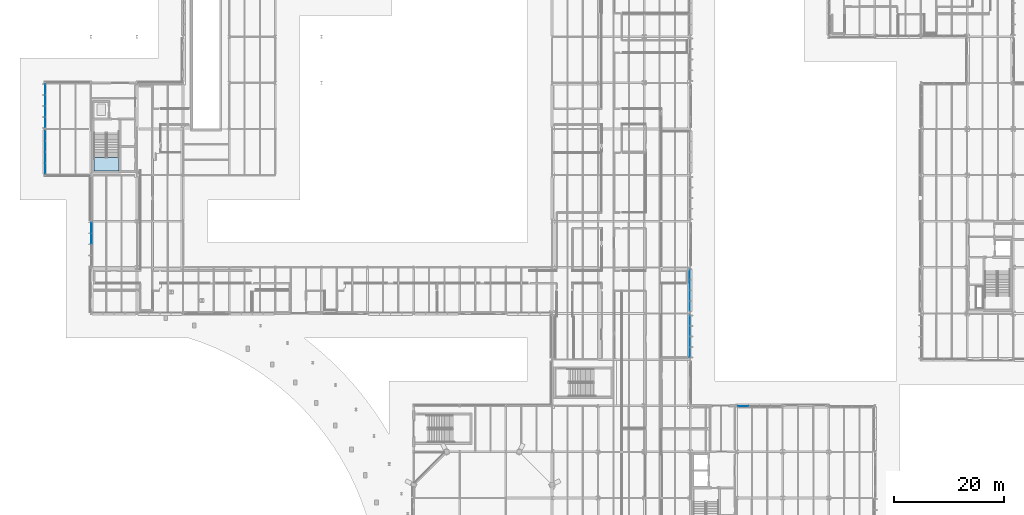
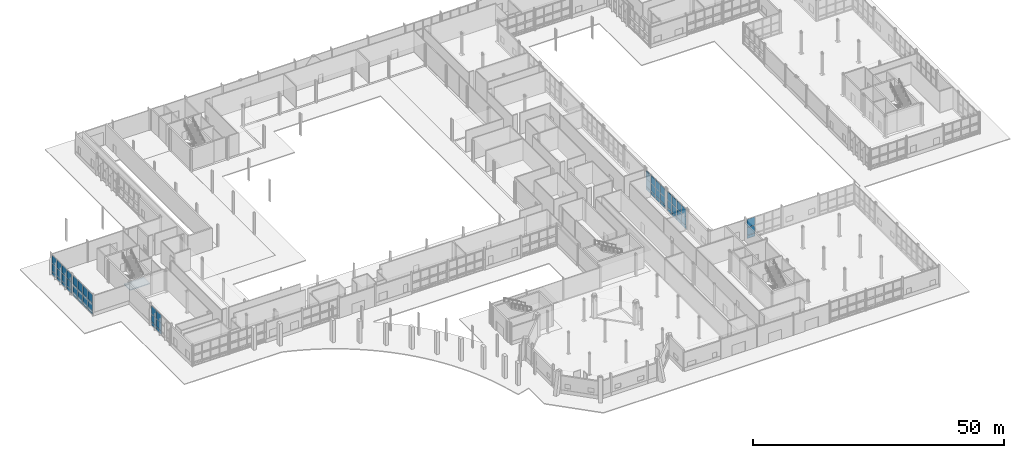
# One storey, part 73 of 124: 57 plates, 1 slab, 7 elements without a shape of their own.
"""IFC4 building model written with IfcOpenShell, lengths in metres."""

import ifcopenshell
import ifcopenshell.guid

model = None  # the IFC model being written
_history = None  # IfcOwnerHistory: only IFC2X3 demands one
_inside = {}  # id of a spatial element -> (the spatial element, [elements in it])
_under = {}  # id of a project, library or spatial element -> (it, [spatial elements below it])
_declared = {}  # id of a project -> (the project, [libraries it declares])
_typed = {}  # id of a type object -> (the type object, [elements of that type])
_made_of = {}  # id of a material, layer set ... -> (it, [elements and type objects made of it])


def new_model(schema):
    """Start an empty IFC model of exactly this schema.

    Asked for "IFC4X3", IfcOpenShell would pick the latest addendum, in which some entities
    have other attributes; the version numbers below select the first issue.
    IFC2X3 requires an IfcOwnerHistory on every rooted entity: one is made here for all.
    """
    global model, _history
    if schema == "IFC4X3":
        model = ifcopenshell.file(schema_version=(4, 3, 0, 0))
    else:
        model = ifcopenshell.file(schema=schema)
    _inside.clear()
    _under.clear()
    _declared.clear()
    _typed.clear()
    _made_of.clear()
    _history = None
    if model.schema == "IFC2X3":
        org = make("IfcOrganization", Name="unknown")
        user = make(
            "IfcPersonAndOrganization",
            ThePerson=make("IfcPerson", FamilyName="unknown"),
            TheOrganization=org,
        )
        app = make(
            "IfcApplication",
            ApplicationDeveloper=org,
            Version="unknown",
            ApplicationFullName="unknown",
            ApplicationIdentifier="unknown",
        )
        _history = make(
            "IfcOwnerHistory",
            OwningUser=user,
            OwningApplication=app,
            ChangeAction="ADDED",
            CreationDate=0,
        )
    return model


def make(cls, **values):
    """One entity of the class cls with the attributes given. An attribute that is None is left unset."""
    return model.create_entity(
        cls, **{name: value for name, value in values.items() if value is not None}
    )


def rooted(cls, **values):
    """An entity with a GlobalId (a new one), such as an element, a storey or a relation."""
    return make(cls, GlobalId=ifcopenshell.guid.new(), OwnerHistory=_history, **values)


def si_unit(unit_type, name, prefix=None):
    """IfcSIUnit, for example si_unit("LENGTHUNIT", "METRE", prefix="MILLI")."""
    return make("IfcSIUnit", UnitType=unit_type, Prefix=prefix, Name=name)


def assignment(units):
    """IfcUnitAssignment: the units of a project."""
    return None if units is None else make("IfcUnitAssignment", Units=units)


def point(xyz):
    """IfcCartesianPoint."""
    return None if xyz is None else make("IfcCartesianPoint", Coordinates=xyz)


def direction(xyz):
    """IfcDirection."""
    return None if xyz is None else make("IfcDirection", DirectionRatios=xyz)


def frame(location, z_axis=None, x_axis=None):
    """IfcAxis2Placement3D, a coordinate frame: its origin and axes. An axis left out is left unset."""
    return make(
        "IfcAxis2Placement3D",
        Location=point(location),
        Axis=direction(z_axis),
        RefDirection=direction(x_axis),
    )


def frame_2d(location, x_axis=None):
    """IfcAxis2Placement2D, a coordinate frame in the plane: its origin and x axis."""
    return make(
        "IfcAxis2Placement2D", Location=point(location), RefDirection=direction(x_axis)
    )


def origin():
    """The frame at (0, 0, 0) with its axes left unset."""
    return frame((0.0, 0.0, 0.0))


def origin_2d():
    """The frame at (0, 0) in the plane with its x axis left unset."""
    return frame_2d((0.0, 0.0))


def place(relative_to, where):
    """IfcLocalPlacement: puts the frame where relative to a parent placement (None: the world)."""
    return make(
        "IfcLocalPlacement", PlacementRelTo=relative_to, RelativePlacement=where
    )


def context(
    kind, dimensions, precision=None, world=None, true_north=None, identifier=None
):
    """IfcGeometricRepresentationContext, for example the 3D "Model" context."""
    return make(
        "IfcGeometricRepresentationContext",
        ContextIdentifier=identifier,
        ContextType=kind,
        CoordinateSpaceDimension=dimensions,
        Precision=precision,
        WorldCoordinateSystem=world,
        TrueNorth=true_north,
    )


def subcontext(parent, identifier, kind, view, scale=None):
    """IfcGeometricRepresentationSubContext, for example "Body" below "Model"."""
    return make(
        "IfcGeometricRepresentationSubContext",
        ContextIdentifier=identifier,
        ContextType=kind,
        ParentContext=parent,
        TargetScale=scale,
        TargetView=view,
    )


def project(units=None, contexts=None):
    """IfcProject with its units and contexts."""
    return rooted(
        "IfcProject",
        Name="project",
        RepresentationContexts=contexts,
        UnitsInContext=assignment(units),
    )


def spatial(cls, under=None, at=None, **own):
    """A site, building, storey or space (cls), placed at a placement, below another one or the project."""
    s = rooted(cls, ObjectPlacement=at, **own)
    if under is not None:
        _under.setdefault(under.id(), (under, []))[1].append(s)
    return s


def polyline(points):
    """IfcPolyline through the points."""
    return make("IfcPolyline", Points=[point(p) for p in points])


def profile(cls, at=None, kind="AREA", **sizes):
    """A parametric profile (cls). Its sizes go by their IFC names, for example OverallWidth=200.0."""
    return make(cls, ProfileType=kind, Position=at, **sizes)


def rectangle(**sizes):
    """IfcRectangleProfileDef."""
    return profile("IfcRectangleProfileDef", **sizes)


def outline(outer, holes=None, kind="AREA"):
    """IfcArbitraryClosedProfileDef: a profile drawn as a closed curve; with holes, ...WithVoids."""
    if holes is None:
        return make("IfcArbitraryClosedProfileDef", ProfileType=kind, OuterCurve=outer)
    return make(
        "IfcArbitraryProfileDefWithVoids",
        ProfileType=kind,
        OuterCurve=outer,
        InnerCurves=holes,
    )


def extrude(swept, where, along, depth):
    """IfcExtrudedAreaSolid: the profile swept, set in the frame where, extruded along a direction by depth."""
    return make(
        "IfcExtrudedAreaSolid",
        SweptArea=swept,
        Position=where,
        ExtrudedDirection=direction(along),
        Depth=depth,
    )


def shape(context_of_items, identifier, shape_type, items):
    """IfcShapeRepresentation: the items that make up one representation, for example the "Body"."""
    return make(
        "IfcShapeRepresentation",
        ContextOfItems=context_of_items,
        RepresentationIdentifier=identifier,
        RepresentationType=shape_type,
        Items=items,
    )


def material(Name=None, Category=None):
    """IfcMaterial."""
    return make("IfcMaterial", Name=Name, Category=Category)


def layer(
    of_material, thickness, ventilated=None, Name=None, Category=None, Priority=None
):
    """IfcMaterialLayer: one layer of a wall or slab, of a material (None: an air gap)."""
    return make(
        "IfcMaterialLayer",
        Material=of_material,
        LayerThickness=thickness,
        IsVentilated=ventilated,
        Name=Name,
        Category=Category,
        Priority=Priority,
    )


def layer_set(layers, Name=None):
    """IfcMaterialLayerSet."""
    return make("IfcMaterialLayerSet", MaterialLayers=layers, LayerSetName=Name)


def made_of(thing, what):
    """Note that an element or type object is made of a material, layer set ...; save() writes the relation."""
    if what is not None:
        _made_of.setdefault(what.id(), (what, []))[1].append(thing)
    return thing


def type_object(cls, material=None, **own):
    """A type object (cls), such as IfcWallType, which elements share."""
    return made_of(rooted(cls, **own), material)


def element(
    cls,
    number,
    at=None,
    inside=None,
    cuts=None,
    type_object=None,
    material=None,
    context=None,
    identifier="Body",
    shape_type=None,
    held_by="IfcProductDefinitionShape",
    body=None,
    shapes=None,
    **own,
):
    """One element of the class cls, such as IfcWall. Its Tag is "e" and its number.

    at: its placement. inside: the storey or other place that contains it. cuts: it is an
    opening in that element (IfcRelVoidsElement). A single representation is given by context,
    identifier, shape_type and body (its items); several are given by shapes. held_by: the class
    of the entity that holds the representations. save() writes the other relations.
    """
    e = rooted(cls, Tag="e%d" % number, ObjectPlacement=at, **own)
    if body is not None:
        shapes = [shape(context, identifier, shape_type, body)]
    if shapes is not None:
        e.Representation = make(held_by, Representations=shapes)
    if inside is not None:
        _inside.setdefault(inside.id(), (inside, []))[1].append(e)
    if cuts is not None:
        rooted(
            "IfcRelVoidsElement", RelatingBuildingElement=cuts, RelatedOpeningElement=e
        )
    if type_object is not None:
        _typed.setdefault(type_object.id(), (type_object, []))[1].append(e)
    return made_of(e, material)


def aggregate(whole, parts):
    """IfcRelAggregates: a whole, such as a stair, and the parts it consists of."""
    return rooted("IfcRelAggregates", RelatingObject=whole, RelatedObjects=parts)


def save(model, path):
    """Write the relations noted so far, then the file.

    IfcRelAggregates (storeys below a building ...), IfcRelContainedInSpatialStructure (elements
    in a storey), IfcRelDefinesByType, IfcRelAssociatesMaterial and IfcRelDeclares: one each for
    every whole, place, type object, material and project.
    """
    for whole, parts in _under.values():
        aggregate(whole, parts)
    for where, things in _inside.values():
        rooted(
            "IfcRelContainedInSpatialStructure",
            RelatedElements=things,
            RelatingStructure=where,
        )
    for kind, things in _typed.values():
        rooted("IfcRelDefinesByType", RelatedObjects=things, RelatingType=kind)
    for what, things in _made_of.values():
        rooted("IfcRelAssociatesMaterial", RelatedObjects=things, RelatingMaterial=what)
    for by, libraries in _declared.values():
        rooted("IfcRelDeclares", RelatingContext=by, RelatedDefinitions=libraries)
    model.write(path)


model = new_model("IFC4")

# Units and contexts
model_context = context("Model", 3, precision=1e-05, world=origin(), true_north=direction((0.0, 1.0)))
body_context = subcontext(model_context, "Body", "Model", "MODEL_VIEW")
ifc_project = project(units=[si_unit("LENGTHUNIT", "METRE"), si_unit("AREAUNIT", "SQUARE_METRE"), si_unit("VOLUMEUNIT", "CUBIC_METRE"), si_unit("PLANEANGLEUNIT", "RADIAN"), si_unit("MASSUNIT", "GRAM", prefix="KILO")], contexts=[model_context])

# Site, building, storey
site_placement = place(None, origin())
site = spatial("IfcSite", under=ifc_project, at=site_placement, CompositionType="ELEMENT")
building_placement = place(site_placement, origin())
building = spatial("IfcBuilding", under=site, at=building_placement, Name="Mersafa Astral City Hall", CompositionType="ELEMENT")
storey_placement = place(building_placement, origin())
storey = spatial("IfcBuildingStorey", under=building, at=storey_placement, Name="L00", CompositionType="ELEMENT", Elevation=0.0)

# Curtain wall, plates
ifc_material_1 = material(Name="Anodised bronze aluminium framing", Category="aluminium")
curtain_wall_type_1 = type_object("IfcCurtainWallType", Name="ENV-CW-3", PredefinedType="USERDEFINED", material=ifc_material_1)
curtain_wall_1_placement = place(storey_placement, origin())
curtain_wall_1 = element("IfcCurtainWall", 1, at=curtain_wall_1_placement, inside=storey, type_object=curtain_wall_type_1, Name="L00 Unitised solar curtain wall 8", ObjectType="UNITISED CURTAIN WALL", PredefinedType="USERDEFINED")
ifc_material_2 = material(Name="Solar control low-e double glazing", Category="glass")
ifc_layer_1 = layer(ifc_material_2, 0.028076171875, Name="Solar control low-e double glazing")
ifc_layer_set_1 = layer_set([ifc_layer_1], Name="Solar control low-e double glazing — ENV-CW-PNL-GLZ-1")
plate_type_1 = type_object("IfcPlateType", Name="ENV-CW-PNL-GLZ-1", PredefinedType="CURTAIN_PANEL", material=ifc_layer_set_1)
plate_1_placement = place(storey_placement, frame((117.47998046875, 43.332763671875, 0.05810546875), z_axis=(0.0, 0.0, 1.0), x_axis=(0.0, 1.0, 0.0)))
plate_1 = element("IfcPlate", 2, at=plate_1_placement, type_object=plate_type_1, Name="CW-3 panel 1.1", PredefinedType="CURTAIN_PANEL", context=body_context, shape_type="SweptSolid", body=[
    extrude(rectangle(XDim=1.75146484375, YDim=0.028076171875, at=origin_2d()), origin(), (0.0, 0.0, 1.0), 0.761962890625),
])
plate_2_placement = place(storey_placement, frame((117.47998046875, 43.332763671875, 0.8798828125), z_axis=(0.0, 0.0, 1.0), x_axis=(0.0, 1.0, 0.0)))
plate_2 = element("IfcPlate", 3, at=plate_2_placement, type_object=plate_type_1, Name="CW-3 panel 1.2", PredefinedType="CURTAIN_PANEL", context=body_context, shape_type="SweptSolid", body=[
    extrude(rectangle(XDim=1.75146484375, YDim=0.028076171875, at=origin_2d()), origin(), (0.0, 0.0, 1.0), 1.840087890625),
])
plate_3_placement = place(storey_placement, frame((117.47998046875, 43.332763671875, 2.780029296875), z_axis=(0.0, 0.0, 1.0), x_axis=(0.0, 1.0, 0.0)))
plate_3 = element("IfcPlate", 4, at=plate_3_placement, type_object=plate_type_1, Name="CW-3 panel 1.3", PredefinedType="CURTAIN_PANEL", context=body_context, shape_type="SweptSolid", body=[
    extrude(rectangle(XDim=1.75146484375, YDim=0.028076171875, at=origin_2d()), origin(), (0.0, 0.0, 1.0), 2.06201171875),
])
plate_4_placement = place(storey_placement, frame((117.47998046875, 45.234130859375, 0.05810546875), z_axis=(0.0, 0.0, 1.0), x_axis=(0.0, 1.0, 0.0)))
plate_4 = element("IfcPlate", 5, at=plate_4_placement, type_object=plate_type_1, Name="CW-3 panel 2.1", PredefinedType="CURTAIN_PANEL", context=body_context, shape_type="SweptSolid", body=[
    extrude(rectangle(XDim=1.8115234375, YDim=0.028076171875, at=origin_2d()), origin(), (0.0, 0.0, 1.0), 0.761962890625),
])
plate_5_placement = place(storey_placement, frame((117.47998046875, 45.234130859375, 0.8798828125), z_axis=(0.0, 0.0, 1.0), x_axis=(0.0, 1.0, 0.0)))
plate_5 = element("IfcPlate", 6, at=plate_5_placement, type_object=plate_type_1, Name="CW-3 panel 2.2", PredefinedType="CURTAIN_PANEL", context=body_context, shape_type="SweptSolid", body=[
    extrude(rectangle(XDim=1.8115234375, YDim=0.028076171875, at=origin_2d()), origin(), (0.0, 0.0, 1.0), 1.840087890625),
])
plate_6_placement = place(storey_placement, frame((117.47998046875, 45.234130859375, 2.780029296875), z_axis=(0.0, 0.0, 1.0), x_axis=(0.0, 1.0, 0.0)))
plate_6 = element("IfcPlate", 7, at=plate_6_placement, type_object=plate_type_1, Name="CW-3 panel 2.3", PredefinedType="CURTAIN_PANEL", context=body_context, shape_type="SweptSolid", body=[
    extrude(rectangle(XDim=1.8115234375, YDim=0.028076171875, at=origin_2d()), origin(), (0.0, 0.0, 1.0), 2.06201171875),
])
plate_7_placement = place(storey_placement, frame((117.47998046875, 47.165771484375, 0.05810546875), z_axis=(0.0, 0.0, 1.0), x_axis=(0.0, 1.0, 0.0)))
plate_7 = element("IfcPlate", 8, at=plate_7_placement, type_object=plate_type_1, Name="CW-3 panel 3.1", PredefinedType="CURTAIN_PANEL", context=body_context, shape_type="SweptSolid", body=[
    extrude(rectangle(XDim=1.8115234375, YDim=0.028076171875, at=origin_2d()), origin(), (0.0, 0.0, 1.0), 0.761962890625),
])
plate_8_placement = place(storey_placement, frame((117.47998046875, 47.165771484375, 0.8798828125), z_axis=(0.0, 0.0, 1.0), x_axis=(0.0, 1.0, 0.0)))
plate_8 = element("IfcPlate", 9, at=plate_8_placement, type_object=plate_type_1, Name="CW-3 panel 3.2", PredefinedType="CURTAIN_PANEL", context=body_context, shape_type="SweptSolid", body=[
    extrude(rectangle(XDim=1.8115234375, YDim=0.028076171875, at=origin_2d()), origin(), (0.0, 0.0, 1.0), 1.840087890625),
])
plate_9_placement = place(storey_placement, frame((117.47998046875, 47.165771484375, 2.780029296875), z_axis=(0.0, 0.0, 1.0), x_axis=(0.0, 1.0, 0.0)))
plate_9 = element("IfcPlate", 10, at=plate_9_placement, type_object=plate_type_1, Name="CW-3 panel 3.3", PredefinedType="CURTAIN_PANEL", context=body_context, shape_type="SweptSolid", body=[
    extrude(rectangle(XDim=1.8115234375, YDim=0.028076171875, at=origin_2d()), origin(), (0.0, 0.0, 1.0), 2.06201171875),
])
plate_10_placement = place(storey_placement, frame((117.47998046875, 49.067138671875, 0.05810546875), z_axis=(0.0, 0.0, 1.0), x_axis=(0.0, 1.0, 0.0)))
plate_10 = element("IfcPlate", 11, at=plate_10_placement, type_object=plate_type_1, Name="CW-3 panel 4.1", PredefinedType="CURTAIN_PANEL", context=body_context, shape_type="SweptSolid", body=[
    extrude(rectangle(XDim=1.75146484375, YDim=0.028076171875, at=origin_2d()), origin(), (0.0, 0.0, 1.0), 0.761962890625),
])
plate_11_placement = place(storey_placement, frame((117.47998046875, 49.067138671875, 0.8798828125), z_axis=(0.0, 0.0, 1.0), x_axis=(0.0, 1.0, 0.0)))
plate_11 = element("IfcPlate", 12, at=plate_11_placement, type_object=plate_type_1, Name="CW-3 panel 4.2", PredefinedType="CURTAIN_PANEL", context=body_context, shape_type="SweptSolid", body=[
    extrude(rectangle(XDim=1.75146484375, YDim=0.028076171875, at=origin_2d()), origin(), (0.0, 0.0, 1.0), 1.840087890625),
])
plate_12_placement = place(storey_placement, frame((117.47998046875, 49.067138671875, 2.780029296875), z_axis=(0.0, 0.0, 1.0), x_axis=(0.0, 1.0, 0.0)))
plate_12 = element("IfcPlate", 13, at=plate_12_placement, type_object=plate_type_1, Name="CW-3 panel 4.3", PredefinedType="CURTAIN_PANEL", context=body_context, shape_type="SweptSolid", body=[
    extrude(rectangle(XDim=1.75146484375, YDim=0.028076171875, at=origin_2d()), origin(), (0.0, 0.0, 1.0), 2.06201171875),
])
aggregate(curtain_wall_1, [plate_1, plate_2, plate_3, plate_4, plate_5, plate_6, plate_7, plate_8, plate_9, plate_10, plate_11, plate_12])

curtain_wall_type_2 = type_object("IfcCurtainWallType", Name="ENV-CW-1", PredefinedType="USERDEFINED", material=ifc_material_1)
curtain_wall_2_placement = place(storey_placement, origin())
curtain_wall_2 = element("IfcCurtainWall", 14, at=curtain_wall_2_placement, inside=storey, type_object=curtain_wall_type_2, Name="L00 Unitised solar curtain wall 36", ObjectType="UNITISED CURTAIN WALL", PredefinedType="USERDEFINED")
plate_13_placement = place(storey_placement, frame((0.1201171875, 91.198486328125, 0.05810546875), z_axis=(0.0, 0.0, 1.0), x_axis=(0.0, -1.0, 0.0)))
plate_13 = element("IfcPlate", 15, at=plate_13_placement, type_object=plate_type_1, Name="CW-1 panel 1.1", PredefinedType="CURTAIN_PANEL", context=body_context, shape_type="SweptSolid", body=[
    extrude(rectangle(XDim=1.839111328125, YDim=0.028076171875, at=origin_2d()), origin(), (0.0, 0.0, 1.0), 0.761962890625),
])
plate_14_placement = place(storey_placement, frame((0.1201171875, 91.198486328125, 0.8798828125), z_axis=(0.0, 0.0, 1.0), x_axis=(0.0, -1.0, 0.0)))
plate_14 = element("IfcPlate", 16, at=plate_14_placement, type_object=plate_type_1, Name="CW-1 panel 1.2", PredefinedType="CURTAIN_PANEL", context=body_context, shape_type="SweptSolid", body=[
    extrude(rectangle(XDim=1.839111328125, YDim=0.028076171875, at=origin_2d()), origin(), (0.0, 0.0, 1.0), 1.840087890625),
])
plate_15_placement = place(storey_placement, frame((0.1201171875, 91.198486328125, 2.7802734375), z_axis=(0.0, 0.0, 1.0), x_axis=(0.0, -1.0, 0.0)))
plate_15 = element("IfcPlate", 17, at=plate_15_placement, type_object=plate_type_1, Name="CW-1 panel 1.3", PredefinedType="CURTAIN_PANEL", context=body_context, shape_type="SweptSolid", body=[
    extrude(rectangle(XDim=1.839111328125, YDim=0.028076171875, at=origin_2d()), origin(), (0.0, 0.0, 1.0), 1.971923828125),
])
plate_16_placement = place(storey_placement, frame((0.1201171875, 89.20947265625, 0.05810546875), z_axis=(0.0, 0.0, 1.0), x_axis=(0.0, -1.0, 0.0)))
plate_16 = element("IfcPlate", 18, at=plate_16_placement, type_object=plate_type_1, Name="CW-1 panel 2.1", PredefinedType="CURTAIN_PANEL", context=body_context, shape_type="SweptSolid", body=[
    extrude(rectangle(XDim=1.89892578125, YDim=0.028076171875, at=origin_2d()), origin(), (0.0, 0.0, 1.0), 0.761962890625),
])
plate_17_placement = place(storey_placement, frame((0.1201171875, 89.20947265625, 0.8798828125), z_axis=(0.0, 0.0, 1.0), x_axis=(0.0, -1.0, 0.0)))
plate_17 = element("IfcPlate", 19, at=plate_17_placement, type_object=plate_type_1, Name="CW-1 panel 2.2", PredefinedType="CURTAIN_PANEL", context=body_context, shape_type="SweptSolid", body=[
    extrude(rectangle(XDim=1.89892578125, YDim=0.028076171875, at=origin_2d()), origin(), (0.0, 0.0, 1.0), 1.840087890625),
])
plate_18_placement = place(storey_placement, frame((0.1201171875, 89.20947265625, 2.7802734375), z_axis=(0.0, 0.0, 1.0), x_axis=(0.0, -1.0, 0.0)))
plate_18 = element("IfcPlate", 20, at=plate_18_placement, type_object=plate_type_1, Name="CW-1 panel 2.3", PredefinedType="CURTAIN_PANEL", context=body_context, shape_type="SweptSolid", body=[
    extrude(rectangle(XDim=1.89892578125, YDim=0.028076171875, at=origin_2d()), origin(), (0.0, 0.0, 1.0), 1.971923828125),
])
plate_19_placement = place(storey_placement, frame((0.1201171875, 87.1904296875, 0.05810546875), z_axis=(0.0, 0.0, 1.0), x_axis=(0.0, -1.0, 0.0)))
plate_19 = element("IfcPlate", 21, at=plate_19_placement, type_object=plate_type_1, Name="CW-1 panel 3.1", PredefinedType="CURTAIN_PANEL", context=body_context, shape_type="SweptSolid", body=[
    extrude(rectangle(XDim=1.89892578125, YDim=0.028076171875, at=origin_2d()), origin(), (0.0, 0.0, 1.0), 0.761962890625),
])
plate_20_placement = place(storey_placement, frame((0.1201171875, 87.1904296875, 0.8798828125), z_axis=(0.0, 0.0, 1.0), x_axis=(0.0, -1.0, 0.0)))
plate_20 = element("IfcPlate", 22, at=plate_20_placement, type_object=plate_type_1, Name="CW-1 panel 3.2", PredefinedType="CURTAIN_PANEL", context=body_context, shape_type="SweptSolid", body=[
    extrude(rectangle(XDim=1.89892578125, YDim=0.028076171875, at=origin_2d()), origin(), (0.0, 0.0, 1.0), 1.840087890625),
])
plate_21_placement = place(storey_placement, frame((0.1201171875, 87.1904296875, 2.7802734375), z_axis=(0.0, 0.0, 1.0), x_axis=(0.0, -1.0, 0.0)))
plate_21 = element("IfcPlate", 23, at=plate_21_placement, type_object=plate_type_1, Name="CW-1 panel 3.3", PredefinedType="CURTAIN_PANEL", context=body_context, shape_type="SweptSolid", body=[
    extrude(rectangle(XDim=1.89892578125, YDim=0.028076171875, at=origin_2d()), origin(), (0.0, 0.0, 1.0), 1.971923828125),
])
plate_22_placement = place(storey_placement, frame((0.1201171875, 85.201416015625, 0.05810546875), z_axis=(0.0, 0.0, 1.0), x_axis=(0.0, -1.0, 0.0)))
plate_22 = element("IfcPlate", 24, at=plate_22_placement, type_object=plate_type_1, Name="CW-1 panel 4.1", PredefinedType="CURTAIN_PANEL", context=body_context, shape_type="SweptSolid", body=[
    extrude(rectangle(XDim=1.839111328125, YDim=0.028076171875, at=origin_2d()), origin(), (0.0, 0.0, 1.0), 0.761962890625),
])
plate_23_placement = place(storey_placement, frame((0.1201171875, 85.201416015625, 0.8798828125), z_axis=(0.0, 0.0, 1.0), x_axis=(0.0, -1.0, 0.0)))
plate_23 = element("IfcPlate", 25, at=plate_23_placement, type_object=plate_type_1, Name="CW-1 panel 4.2", PredefinedType="CURTAIN_PANEL", context=body_context, shape_type="SweptSolid", body=[
    extrude(rectangle(XDim=1.839111328125, YDim=0.028076171875, at=origin_2d()), origin(), (0.0, 0.0, 1.0), 1.840087890625),
])
plate_24_placement = place(storey_placement, frame((0.1201171875, 85.201416015625, 2.7802734375), z_axis=(0.0, 0.0, 1.0), x_axis=(0.0, -1.0, 0.0)))
plate_24 = element("IfcPlate", 26, at=plate_24_placement, type_object=plate_type_1, Name="CW-1 panel 4.3", PredefinedType="CURTAIN_PANEL", context=body_context, shape_type="SweptSolid", body=[
    extrude(rectangle(XDim=1.839111328125, YDim=0.028076171875, at=origin_2d()), origin(), (0.0, 0.0, 1.0), 1.971923828125),
])
aggregate(curtain_wall_2, [plate_13, plate_14, plate_15, plate_16, plate_17, plate_18, plate_19, plate_20, plate_21, plate_22, plate_23, plate_24])

curtain_wall_type_3 = type_object("IfcCurtainWallType", Name="ENV-CW-4", PredefinedType="USERDEFINED", material=ifc_material_1)
curtain_wall_3_placement = place(storey_placement, origin())
curtain_wall_3 = element("IfcCurtainWall", 27, at=curtain_wall_3_placement, inside=storey, type_object=curtain_wall_type_3, Name="L00 Unitised solar curtain wall 9", ObjectType="UNITISED CURTAIN WALL", PredefinedType="USERDEFINED")
ifc_layer_2 = layer(ifc_material_2, 0.031982421875, Name="Solar control low-e double glazing")
ifc_layer_set_2 = layer_set([ifc_layer_2], Name="Solar control low-e double glazing — ENV-CW-PNL-GLZ-2")
plate_type_2 = type_object("IfcPlateType", Name="ENV-CW-PNL-GLZ-2", PredefinedType="CURTAIN_PANEL", material=ifc_layer_set_2)
plate_25_placement = place(storey_placement, frame((117.47998046875, 51.732666015625, 0.05810546875), z_axis=(0.0, 0.0, 1.0), x_axis=(0.0, 1.0, 0.0)))
plate_25 = element("IfcPlate", 28, at=plate_25_placement, type_object=plate_type_2, Name="CW-4 panel 1.1", PredefinedType="CURTAIN_PANEL", context=body_context, shape_type="SweptSolid", body=[
    extrude(rectangle(XDim=1.75146484375, YDim=0.031982421875, at=origin_2d()), origin(), (0.0, 0.0, 1.0), 0.761962890625),
])
plate_26_placement = place(storey_placement, frame((117.47998046875, 51.732666015625, 0.8798828125), z_axis=(0.0, 0.0, 1.0), x_axis=(0.0, 1.0, 0.0)))
plate_26 = element("IfcPlate", 29, at=plate_26_placement, type_object=plate_type_2, Name="CW-4 panel 1.2", PredefinedType="CURTAIN_PANEL", context=body_context, shape_type="SweptSolid", body=[
    extrude(rectangle(XDim=1.75146484375, YDim=0.031982421875, at=origin_2d()), origin(), (0.0, 0.0, 1.0), 1.840087890625),
])
plate_27_placement = place(storey_placement, frame((117.47998046875, 51.732666015625, 2.7802734375), z_axis=(0.0, 0.0, 1.0), x_axis=(0.0, 1.0, 0.0)))
plate_27 = element("IfcPlate", 30, at=plate_27_placement, type_object=plate_type_2, Name="CW-4 panel 1.3", PredefinedType="CURTAIN_PANEL", context=body_context, shape_type="SweptSolid", body=[
    extrude(rectangle(XDim=1.75146484375, YDim=0.031982421875, at=origin_2d()), origin(), (0.0, 0.0, 1.0), 1.971923828125),
])
plate_28_placement = place(storey_placement, frame((117.47998046875, 53.63427734375, 0.05810546875), z_axis=(0.0, 0.0, 1.0), x_axis=(0.0, 1.0, 0.0)))
plate_28 = element("IfcPlate", 31, at=plate_28_placement, type_object=plate_type_2, Name="CW-4 panel 2.1", PredefinedType="CURTAIN_PANEL", context=body_context, shape_type="SweptSolid", body=[
    extrude(rectangle(XDim=1.8115234375, YDim=0.031982421875, at=origin_2d()), origin(), (0.0, 0.0, 1.0), 0.761962890625),
])
plate_29_placement = place(storey_placement, frame((117.47998046875, 53.63427734375, 0.8798828125), z_axis=(0.0, 0.0, 1.0), x_axis=(0.0, 1.0, 0.0)))
plate_29 = element("IfcPlate", 32, at=plate_29_placement, type_object=plate_type_2, Name="CW-4 panel 2.2", PredefinedType="CURTAIN_PANEL", context=body_context, shape_type="SweptSolid", body=[
    extrude(rectangle(XDim=1.8115234375, YDim=0.031982421875, at=origin_2d()), origin(), (0.0, 0.0, 1.0), 1.840087890625),
])
plate_30_placement = place(storey_placement, frame((117.47998046875, 53.63427734375, 2.7802734375), z_axis=(0.0, 0.0, 1.0), x_axis=(0.0, 1.0, 0.0)))
plate_30 = element("IfcPlate", 33, at=plate_30_placement, type_object=plate_type_2, Name="CW-4 panel 2.3", PredefinedType="CURTAIN_PANEL", context=body_context, shape_type="SweptSolid", body=[
    extrude(rectangle(XDim=1.8115234375, YDim=0.031982421875, at=origin_2d()), origin(), (0.0, 0.0, 1.0), 1.971923828125),
])
plate_31_placement = place(storey_placement, frame((117.47998046875, 55.565673828125, 0.05810546875), z_axis=(0.0, 0.0, 1.0), x_axis=(0.0, 1.0, 0.0)))
plate_31 = element("IfcPlate", 34, at=plate_31_placement, type_object=plate_type_2, Name="CW-4 panel 3.1", PredefinedType="CURTAIN_PANEL", context=body_context, shape_type="SweptSolid", body=[
    extrude(rectangle(XDim=1.8115234375, YDim=0.031982421875, at=origin_2d()), origin(), (0.0, 0.0, 1.0), 0.761962890625),
])
plate_32_placement = place(storey_placement, frame((117.47998046875, 55.565673828125, 0.8798828125), z_axis=(0.0, 0.0, 1.0), x_axis=(0.0, 1.0, 0.0)))
plate_32 = element("IfcPlate", 35, at=plate_32_placement, type_object=plate_type_2, Name="CW-4 panel 3.2", PredefinedType="CURTAIN_PANEL", context=body_context, shape_type="SweptSolid", body=[
    extrude(rectangle(XDim=1.8115234375, YDim=0.031982421875, at=origin_2d()), origin(), (0.0, 0.0, 1.0), 1.840087890625),
])
plate_33_placement = place(storey_placement, frame((117.47998046875, 55.565673828125, 2.7802734375), z_axis=(0.0, 0.0, 1.0), x_axis=(0.0, 1.0, 0.0)))
plate_33 = element("IfcPlate", 36, at=plate_33_placement, type_object=plate_type_2, Name="CW-4 panel 3.3", PredefinedType="CURTAIN_PANEL", context=body_context, shape_type="SweptSolid", body=[
    extrude(rectangle(XDim=1.8115234375, YDim=0.031982421875, at=origin_2d()), origin(), (0.0, 0.0, 1.0), 1.971923828125),
])
plate_34_placement = place(storey_placement, frame((117.47998046875, 57.46728515625, 0.05810546875), z_axis=(0.0, 0.0, 1.0), x_axis=(0.0, 1.0, 0.0)))
plate_34 = element("IfcPlate", 37, at=plate_34_placement, type_object=plate_type_2, Name="CW-4 panel 4.1", PredefinedType="CURTAIN_PANEL", context=body_context, shape_type="SweptSolid", body=[
    extrude(rectangle(XDim=1.75146484375, YDim=0.031982421875, at=origin_2d()), origin(), (0.0, 0.0, 1.0), 0.761962890625),
])
plate_35_placement = place(storey_placement, frame((117.47998046875, 57.46728515625, 0.8798828125), z_axis=(0.0, 0.0, 1.0), x_axis=(0.0, 1.0, 0.0)))
plate_35 = element("IfcPlate", 38, at=plate_35_placement, type_object=plate_type_2, Name="CW-4 panel 4.2", PredefinedType="CURTAIN_PANEL", context=body_context, shape_type="SweptSolid", body=[
    extrude(rectangle(XDim=1.75146484375, YDim=0.031982421875, at=origin_2d()), origin(), (0.0, 0.0, 1.0), 1.840087890625),
])
plate_36_placement = place(storey_placement, frame((117.47998046875, 57.46728515625, 2.7802734375), z_axis=(0.0, 0.0, 1.0), x_axis=(0.0, 1.0, 0.0)))
plate_36 = element("IfcPlate", 39, at=plate_36_placement, type_object=plate_type_2, Name="CW-4 panel 4.3", PredefinedType="CURTAIN_PANEL", context=body_context, shape_type="SweptSolid", body=[
    extrude(rectangle(XDim=1.75146484375, YDim=0.031982421875, at=origin_2d()), origin(), (0.0, 0.0, 1.0), 1.971923828125),
])
aggregate(curtain_wall_3, [plate_25, plate_26, plate_27, plate_28, plate_29, plate_30, plate_31, plate_32, plate_33, plate_34, plate_35, plate_36])

curtain_wall_type_4 = type_object("IfcCurtainWallType", Name="ENV-CW-2", PredefinedType="USERDEFINED", material=ifc_material_1)
curtain_wall_4_placement = place(storey_placement, origin())
curtain_wall_4 = element("IfcCurtainWall", 40, at=curtain_wall_4_placement, inside=storey, type_object=curtain_wall_type_4, Name="L00 Unitised solar curtain wall 37", ObjectType="UNITISED CURTAIN WALL", PredefinedType="USERDEFINED")
plate_37_placement = place(storey_placement, frame((0.1201171875, 82.798583984375, 0.05810546875), z_axis=(0.0, 0.0, 1.0), x_axis=(0.0, -1.0, 0.0)))
plate_37 = element("IfcPlate", 41, at=plate_37_placement, type_object=plate_type_2, Name="CW-2 panel 1.1", PredefinedType="CURTAIN_PANEL", context=body_context, shape_type="SweptSolid", body=[
    extrude(rectangle(XDim=1.839111328125, YDim=0.031982421875, at=origin_2d()), origin(), (0.0, 0.0, 1.0), 0.761962890625),
])
plate_38_placement = place(storey_placement, frame((0.1201171875, 82.798583984375, 0.8798828125), z_axis=(0.0, 0.0, 1.0), x_axis=(0.0, -1.0, 0.0)))
plate_38 = element("IfcPlate", 42, at=plate_38_placement, type_object=plate_type_2, Name="CW-2 panel 1.2", PredefinedType="CURTAIN_PANEL", context=body_context, shape_type="SweptSolid", body=[
    extrude(rectangle(XDim=1.839111328125, YDim=0.031982421875, at=origin_2d()), origin(), (0.0, 0.0, 1.0), 1.840087890625),
])
plate_39_placement = place(storey_placement, frame((0.1201171875, 82.798583984375, 2.780029296875), z_axis=(0.0, 0.0, 1.0), x_axis=(0.0, -1.0, 0.0)))
plate_39 = element("IfcPlate", 43, at=plate_39_placement, type_object=plate_type_2, Name="CW-2 panel 1.3", PredefinedType="CURTAIN_PANEL", context=body_context, shape_type="SweptSolid", body=[
    extrude(rectangle(XDim=1.839111328125, YDim=0.031982421875, at=origin_2d()), origin(), (0.0, 0.0, 1.0), 2.06201171875),
])
plate_40_placement = place(storey_placement, frame((0.1201171875, 80.8095703125, 0.05810546875), z_axis=(0.0, 0.0, 1.0), x_axis=(0.0, -1.0, 0.0)))
plate_40 = element("IfcPlate", 44, at=plate_40_placement, type_object=plate_type_2, Name="CW-2 panel 2.1", PredefinedType="CURTAIN_PANEL", context=body_context, shape_type="SweptSolid", body=[
    extrude(rectangle(XDim=1.89892578125, YDim=0.031982421875, at=origin_2d()), origin(), (0.0, 0.0, 1.0), 0.761962890625),
])
plate_41_placement = place(storey_placement, frame((0.1201171875, 80.8095703125, 0.8798828125), z_axis=(0.0, 0.0, 1.0), x_axis=(0.0, -1.0, 0.0)))
plate_41 = element("IfcPlate", 45, at=plate_41_placement, type_object=plate_type_2, Name="CW-2 panel 2.2", PredefinedType="CURTAIN_PANEL", context=body_context, shape_type="SweptSolid", body=[
    extrude(rectangle(XDim=1.89892578125, YDim=0.031982421875, at=origin_2d()), origin(), (0.0, 0.0, 1.0), 1.840087890625),
])
plate_42_placement = place(storey_placement, frame((0.1201171875, 80.8095703125, 2.780029296875), z_axis=(0.0, 0.0, 1.0), x_axis=(0.0, -1.0, 0.0)))
plate_42 = element("IfcPlate", 46, at=plate_42_placement, type_object=plate_type_2, Name="CW-2 panel 2.3", PredefinedType="CURTAIN_PANEL", context=body_context, shape_type="SweptSolid", body=[
    extrude(rectangle(XDim=1.89892578125, YDim=0.031982421875, at=origin_2d()), origin(), (0.0, 0.0, 1.0), 2.06201171875),
])
plate_43_placement = place(storey_placement, frame((0.1201171875, 78.79052734375, 0.05810546875), z_axis=(0.0, 0.0, 1.0), x_axis=(0.0, -1.0, 0.0)))
plate_43 = element("IfcPlate", 47, at=plate_43_placement, type_object=plate_type_2, Name="CW-2 panel 3.1", PredefinedType="CURTAIN_PANEL", context=body_context, shape_type="SweptSolid", body=[
    extrude(rectangle(XDim=1.89892578125, YDim=0.031982421875, at=origin_2d()), origin(), (0.0, 0.0, 1.0), 0.761962890625),
])
plate_44_placement = place(storey_placement, frame((0.1201171875, 78.79052734375, 0.8798828125), z_axis=(0.0, 0.0, 1.0), x_axis=(0.0, -1.0, 0.0)))
plate_44 = element("IfcPlate", 48, at=plate_44_placement, type_object=plate_type_2, Name="CW-2 panel 3.2", PredefinedType="CURTAIN_PANEL", context=body_context, shape_type="SweptSolid", body=[
    extrude(rectangle(XDim=1.89892578125, YDim=0.031982421875, at=origin_2d()), origin(), (0.0, 0.0, 1.0), 1.840087890625),
])
plate_45_placement = place(storey_placement, frame((0.1201171875, 78.79052734375, 2.780029296875), z_axis=(0.0, 0.0, 1.0), x_axis=(0.0, -1.0, 0.0)))
plate_45 = element("IfcPlate", 49, at=plate_45_placement, type_object=plate_type_2, Name="CW-2 panel 3.3", PredefinedType="CURTAIN_PANEL", context=body_context, shape_type="SweptSolid", body=[
    extrude(rectangle(XDim=1.89892578125, YDim=0.031982421875, at=origin_2d()), origin(), (0.0, 0.0, 1.0), 2.06201171875),
])
plate_46_placement = place(storey_placement, frame((0.1201171875, 76.801513671875, 0.05810546875), z_axis=(0.0, 0.0, 1.0), x_axis=(0.0, -1.0, 0.0)))
plate_46 = element("IfcPlate", 50, at=plate_46_placement, type_object=plate_type_2, Name="CW-2 panel 4.1", PredefinedType="CURTAIN_PANEL", context=body_context, shape_type="SweptSolid", body=[
    extrude(rectangle(XDim=1.839111328125, YDim=0.031982421875, at=origin_2d()), origin(), (0.0, 0.0, 1.0), 0.761962890625),
])
plate_47_placement = place(storey_placement, frame((0.1201171875, 76.801513671875, 0.8798828125), z_axis=(0.0, 0.0, 1.0), x_axis=(0.0, -1.0, 0.0)))
plate_47 = element("IfcPlate", 51, at=plate_47_placement, type_object=plate_type_2, Name="CW-2 panel 4.2", PredefinedType="CURTAIN_PANEL", context=body_context, shape_type="SweptSolid", body=[
    extrude(rectangle(XDim=1.839111328125, YDim=0.031982421875, at=origin_2d()), origin(), (0.0, 0.0, 1.0), 1.840087890625),
])
plate_48_placement = place(storey_placement, frame((0.1201171875, 76.801513671875, 2.780029296875), z_axis=(0.0, 0.0, 1.0), x_axis=(0.0, -1.0, 0.0)))
plate_48 = element("IfcPlate", 52, at=plate_48_placement, type_object=plate_type_2, Name="CW-2 panel 4.3", PredefinedType="CURTAIN_PANEL", context=body_context, shape_type="SweptSolid", body=[
    extrude(rectangle(XDim=1.839111328125, YDim=0.031982421875, at=origin_2d()), origin(), (0.0, 0.0, 1.0), 2.06201171875),
])
aggregate(curtain_wall_4, [plate_37, plate_38, plate_39, plate_40, plate_41, plate_42, plate_43, plate_44, plate_45, plate_46, plate_47, plate_48])

curtain_wall_5_placement = place(storey_placement, origin())
curtain_wall_5 = element("IfcCurtainWall", 53, at=curtain_wall_5_placement, inside=storey, type_object=curtain_wall_type_1, Name="L00 Unitised solar curtain wall 38", ObjectType="UNITISED CURTAIN WALL", PredefinedType="USERDEFINED")
ifc_layer_3 = layer(ifc_material_2, 0.035888671875, Name="Solar control low-e double glazing")
ifc_layer_set_3 = layer_set([ifc_layer_3], Name="Solar control low-e double glazing — ENV-CW-PNL-GLZ-3")
plate_type_3 = type_object("IfcPlateType", Name="ENV-CW-PNL-GLZ-3", PredefinedType="CURTAIN_PANEL", material=ifc_layer_set_3)
plate_49_placement = place(storey_placement, frame((8.52001953125, 65.99853515625, 0.05810546875), z_axis=(0.0, 0.0, 1.0), x_axis=(0.0, -1.0, 0.0)))
plate_49 = element("IfcPlate", 54, at=plate_49_placement, type_object=plate_type_3, Name="CW-3 panel 1.1", PredefinedType="CURTAIN_PANEL", context=body_context, shape_type="SweptSolid", body=[
    extrude(rectangle(XDim=1.839111328125, YDim=0.035888671875, at=origin_2d()), origin(), (0.0, 0.0, 1.0), 0.761962890625),
])
plate_50_placement = place(storey_placement, frame((8.52001953125, 65.99853515625, 0.8798828125), z_axis=(0.0, 0.0, 1.0), x_axis=(0.0, -1.0, 0.0)))
plate_50 = element("IfcPlate", 55, at=plate_50_placement, type_object=plate_type_3, Name="CW-3 panel 1.2", PredefinedType="CURTAIN_PANEL", context=body_context, shape_type="SweptSolid", body=[
    extrude(rectangle(XDim=1.839111328125, YDim=0.035888671875, at=origin_2d()), origin(), (0.0, 0.0, 1.0), 1.840087890625),
])
plate_51_placement = place(storey_placement, frame((8.52001953125, 65.99853515625, 2.7802734375), z_axis=(0.0, 0.0, 1.0), x_axis=(0.0, -1.0, 0.0)))
plate_51 = element("IfcPlate", 56, at=plate_51_placement, type_object=plate_type_3, Name="CW-3 panel 1.3", PredefinedType="CURTAIN_PANEL", context=body_context, shape_type="SweptSolid", body=[
    extrude(rectangle(XDim=1.839111328125, YDim=0.035888671875, at=origin_2d()), origin(), (0.0, 0.0, 1.0), 1.971923828125),
])
plate_52_placement = place(storey_placement, frame((8.52001953125, 64.009521484375, 0.05810546875), z_axis=(0.0, 0.0, 1.0), x_axis=(0.0, -1.0, 0.0)))
plate_52 = element("IfcPlate", 57, at=plate_52_placement, type_object=plate_type_3, Name="CW-3 panel 2.1", PredefinedType="CURTAIN_PANEL", context=body_context, shape_type="SweptSolid", body=[
    extrude(rectangle(XDim=1.89892578125, YDim=0.035888671875, at=origin_2d()), origin(), (0.0, 0.0, 1.0), 0.761962890625),
])
plate_53_placement = place(storey_placement, frame((8.52001953125, 64.009521484375, 0.8798828125), z_axis=(0.0, 0.0, 1.0), x_axis=(0.0, -1.0, 0.0)))
plate_53 = element("IfcPlate", 58, at=plate_53_placement, type_object=plate_type_3, Name="CW-3 panel 2.2", PredefinedType="CURTAIN_PANEL", context=body_context, shape_type="SweptSolid", body=[
    extrude(rectangle(XDim=1.89892578125, YDim=0.035888671875, at=origin_2d()), origin(), (0.0, 0.0, 1.0), 1.840087890625),
])
plate_54_placement = place(storey_placement, frame((8.52001953125, 64.009521484375, 2.7802734375), z_axis=(0.0, 0.0, 1.0), x_axis=(0.0, -1.0, 0.0)))
plate_54 = element("IfcPlate", 59, at=plate_54_placement, type_object=plate_type_3, Name="CW-3 panel 2.3", PredefinedType="CURTAIN_PANEL", context=body_context, shape_type="SweptSolid", body=[
    extrude(rectangle(XDim=1.89892578125, YDim=0.035888671875, at=origin_2d()), origin(), (0.0, 0.0, 1.0), 1.971923828125),
])
aggregate(curtain_wall_5, [plate_49, plate_50, plate_51, plate_52, plate_53, plate_54])

curtain_wall_6_placement = place(storey_placement, origin())
curtain_wall_6 = element("IfcCurtainWall", 60, at=curtain_wall_6_placement, inside=storey, type_object=curtain_wall_type_4, Name="L00 Unitised solar curtain wall 7", ObjectType="UNITISED CURTAIN WALL", PredefinedType="USERDEFINED")
ifc_layer_4 = layer(ifc_material_2, 0.0400390625, Name="Solar control low-e double glazing")
ifc_layer_set_4 = layer_set([ifc_layer_4], Name="Solar control low-e double glazing — ENV-CW-PNL-GLZ-4")
plate_type_4 = type_object("IfcPlateType", Name="ENV-CW-PNL-GLZ-4", PredefinedType="CURTAIN_PANEL", material=ifc_layer_set_4)
plate_55_placement = place(storey_placement, frame((127.201416015625, 33.47998046875, 0.05810546875), z_axis=(0.0, 0.0, 1.0), x_axis=(-1.0, 0.0, 0.0)))
plate_55 = element("IfcPlate", 61, at=plate_55_placement, type_object=plate_type_4, Name="CW-2 panel 4.1", PredefinedType="CURTAIN_PANEL", context=body_context, shape_type="SweptSolid", body=[
    extrude(rectangle(XDim=1.839111328125, YDim=0.0400390625, at=origin_2d()), origin(), (0.0, 0.0, 1.0), 0.761962890625),
])
plate_56_placement = place(storey_placement, frame((127.201416015625, 33.47998046875, 0.8798828125), z_axis=(0.0, 0.0, 1.0), x_axis=(-1.0, 0.0, 0.0)))
plate_56 = element("IfcPlate", 62, at=plate_56_placement, type_object=plate_type_4, Name="CW-2 panel 4.2", PredefinedType="CURTAIN_PANEL", context=body_context, shape_type="SweptSolid", body=[
    extrude(rectangle(XDim=1.839111328125, YDim=0.0400390625, at=origin_2d()), origin(), (0.0, 0.0, 1.0), 1.840087890625),
])
plate_57_placement = place(storey_placement, frame((127.201416015625, 33.47998046875, 2.780029296875), z_axis=(0.0, 0.0, 1.0), x_axis=(-1.0, 0.0, 0.0)))
plate_57 = element("IfcPlate", 63, at=plate_57_placement, type_object=plate_type_4, Name="CW-2 panel 4.3", PredefinedType="CURTAIN_PANEL", context=body_context, shape_type="SweptSolid", body=[
    extrude(rectangle(XDim=1.839111328125, YDim=0.0400390625, at=origin_2d()), origin(), (0.0, 0.0, 1.0), 2.001953125),
])
aggregate(curtain_wall_6, [plate_55, plate_56, plate_57])

# Stair, slab
ifc_material_3 = material(Name="Concrete C40/50", Category="concrete")
stair_type = type_object("IfcStairType", Name="STAIR", PredefinedType="HALF_TURN_STAIR", material=ifc_material_3)
stair_placement = place(storey_placement, origin())
stair = element("IfcStair", 64, at=stair_placement, inside=storey, type_object=stair_type, Name="L00 Protected Exit Stair ST6", PredefinedType="HALF_TURN_STAIR")
ifc_layer_5 = layer(ifc_material_3, 0.199951171875, Name="Concrete C40/50")
ifc_layer_set_5 = layer_set([ifc_layer_5], Name="Concrete C40/50 — STAIR-LANDING")
slab_type = type_object("IfcSlabType", Name="STAIR-LANDING", PredefinedType="LANDING", material=ifc_layer_set_5)
slab_placement = place(storey_placement, frame((0.0, 0.0, 2.5)))
slab = element("IfcSlab", 65, at=slab_placement, type_object=slab_type, Name="ST6 landing 1", PredefinedType="LANDING", context=body_context, shape_type="SweptSolid", body=[
    extrude(outline(polyline([(8.97998046875, 78.800048828125), (8.97998046875, 76.35009765625), (13.5400390625, 76.35009765625), (13.5400390625, 78.800048828125), (8.97998046875, 78.800048828125)])), origin(), (0.0, 0.0, 1.0), 0.199951171875),
])
aggregate(stair, [slab])

save(model, "model.ifc")
